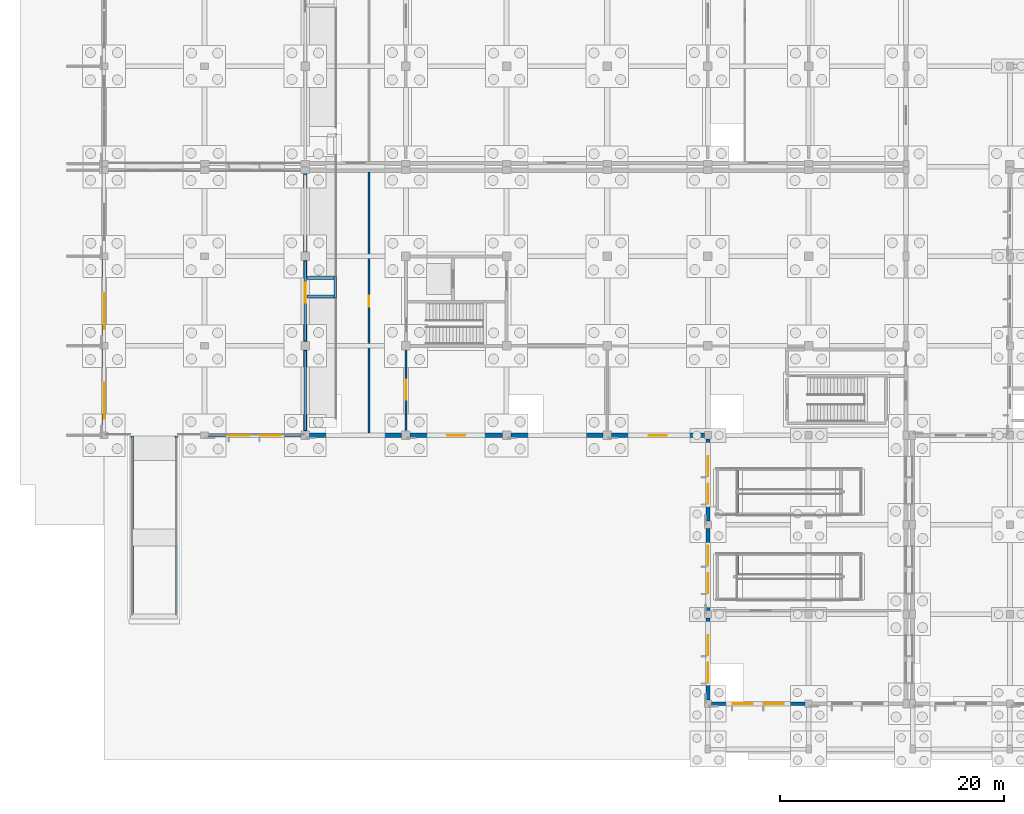
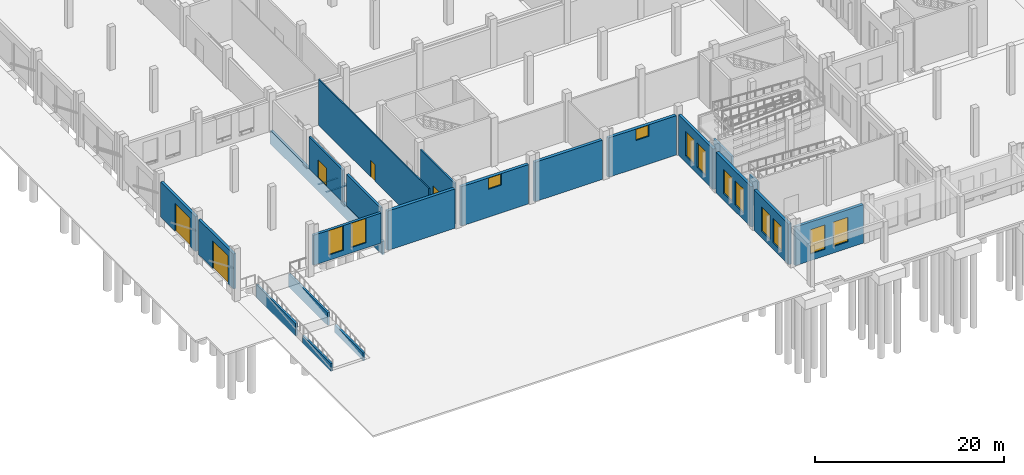
# One storey, part 55 of 99: 25 walls, 12 windows, 5 doors, 17 openings.
"""IFC4 building model written with IfcOpenShell, lengths in metres."""

from ifc_helpers import new_model, si_unit, direction, frame, frame_2d, origin, place, context, subcontext, project, spatial, rectangle, extrude, material, layer, layer_set, type_object, element, fill, save


model = new_model("IFC4")

# Units and contexts
model_context = context("Model", 3, precision=1e-05, world=origin(), true_north=direction((0.0, 1.0)))
body_context = subcontext(model_context, "Body", "Model", "MODEL_VIEW")
ifc_project = project(units=[si_unit("LENGTHUNIT", "METRE"), si_unit("AREAUNIT", "SQUARE_METRE"), si_unit("VOLUMEUNIT", "CUBIC_METRE"), si_unit("PLANEANGLEUNIT", "RADIAN"), si_unit("MASSUNIT", "GRAM", prefix="KILO")], contexts=[model_context])

# Site, building, storey
site_placement = place(None, origin())
site = spatial("IfcSite", under=ifc_project, at=site_placement, CompositionType="ELEMENT")
building_placement = place(site_placement, origin())
building = spatial("IfcBuilding", under=site, at=building_placement, Name="Zacnel Wholesale Market", CompositionType="ELEMENT")
storey_placement = place(building_placement, origin())
storey = spatial("IfcBuildingStorey", under=building, at=storey_placement, Name="L01", CompositionType="ELEMENT", Elevation=0.0)

# Wall
ifc_material_1 = material(Name="Concrete C40/50", Category="concrete")
ifc_layer_1 = layer(ifc_material_1, 0.2548828125)
ifc_layer_set_1 = layer_set([ifc_layer_1], Name="Concrete C40/50")
wall_type_1 = type_object("IfcWallType", Name="WL-COMP-FW250", PredefinedType="STANDARD", material=ifc_layer_set_1)
wall_1_placement = place(storey_placement, frame((18.0, 24.419921875, 1.22509765625), z_axis=(0.0, 0.0, 1.0), x_axis=(0.0, 1.0, 0.0)))
element("IfcWall", 1, at=wall_1_placement, inside=storey, type_object=wall_type_1, Name="EI-120 fire compartment barrier wall 03", PredefinedType="STANDARD", context=body_context, shape_type="SweptSolid", body=[
    extrude(rectangle(XDim=7.16015625, YDim=0.2548828125, at=frame_2d((3.580078125, 0.0))), origin(), (0.0, 0.0, 1.0), 4.10498046875),
])

# Wall, opening, door
wall_2_placement = place(storey_placement, frame((18.0, 32.419921875, 1.22509765625), z_axis=(0.0, 0.0, 1.0), x_axis=(0.0, 1.0, 0.0)))
wall_2 = element("IfcWall", 2, at=wall_2_placement, inside=storey, type_object=wall_type_1, Name="EI-120 fire compartment barrier wall 04", PredefinedType="STANDARD", context=body_context, shape_type="SweptSolid", body=[
    extrude(rectangle(XDim=7.16015625, YDim=0.2548828125, at=frame_2d((3.580078125, 0.0))), origin(), (0.0, 0.0, 1.0), 4.10498046875),
])
opening_1_placement = place(wall_2_placement, frame((3.429931640625, 0.0, 0.0)))
opening_1 = element("IfcOpeningElement", 3, at=opening_1_placement, cuts=wall_2, Name="Opening FD-03", PredefinedType="OPENING", context=body_context, shape_type="SweptSolid", body=[
    extrude(rectangle(XDim=1.800048828125, YDim=2.300048828125, at=frame_2d((0.89990234375, 1.14990234375))), frame((0.0, 0.137451171875, 0.0), z_axis=(0.0, -1.0, 0.0), x_axis=(1.0, 0.0, 0.0)), (0.0, 0.0, 1.0), 0.27490234375),
])
ifc_material_2 = material(Name="Galvanized steel", Category="steel")
door_type_1 = type_object("IfcDoorType", Name="DR-FIRE-COMP-1800", OperationType="NOTDEFINED", PredefinedType="DOOR", material=ifc_material_2)
door_1_placement = place(opening_1_placement, origin())
door_1 = element("IfcDoor", 4, at=door_1_placement, inside=storey, type_object=door_type_1, Name="Cold-chain dock airlock fire door 04", OperationType="SINGLE_SWING_LEFT", OverallHeight=2.300048828125, OverallWidth=1.800048828125, PredefinedType="DOOR", context=body_context, shape_type="SweptSolid", body=[
    extrude(rectangle(XDim=1.800048828125, YDim=2.300048828125, at=frame_2d((0.89990234375, 1.14990234375))), frame((0.0, 0.02490234375, 0.0), z_axis=(0.0, -1.0, 0.0), x_axis=(1.0, 0.0, 0.0)), (0.0, 0.0, 1.0), 0.050048828125),
])
fill(opening_1, door_1)

# Walls
ifc_material_3 = material(Name="Concrete C40/50", Category="concrete")
ifc_layer_2 = layer(ifc_material_3, 0.25)
ifc_layer_set_2 = layer_set([ifc_layer_2], Name="Concrete C40/50")
wall_type_2 = type_object("IfcWallType", Name="WL-CORE-SW250", PredefinedType="SOLIDWALL", material=ifc_layer_set_2)
wall_3_placement = place(storey_placement, frame((20.675048828125, 36.300048828125, 0.0), z_axis=(0.0, 0.0, 1.0), x_axis=(0.0, 1.0, 0.0)))
element("IfcWall", 5, at=wall_3_placement, inside=storey, type_object=wall_type_2, Name="Accessible ramp RP-01 (RMP-DOCK-S) mid-landing bearing kerb E", PredefinedType="SOLIDWALL", context=body_context, shape_type="SweptSolid", body=[
    extrude(rectangle(XDim=1.89990234375, YDim=0.25, at=frame_2d((0.949951171875, 0.0))), origin(), (0.0, 0.0, 1.0), 0.02490234375),
])
for number, where, z_axis, x_axis, name in (
    (6, (18.14990234375, 36.425048828125, 0.0), (0.0, 0.0, 1.0), (1.0, 0.0, 0.0), "Accessible ramp RP-01 (RMP-DOCK-S) mid-landing bearing kerb S"),
    (7, (18.14990234375, 38.074951171875, 0.0), (0.0, 0.0, 1.0), (1.0, 0.0, 0.0), "Accessible ramp RP-01 (RMP-DOCK-S) mid-landing bearing kerb N"),
):
    element("IfcWall", number, at=place(storey_placement, frame(where, z_axis=z_axis, x_axis=x_axis)), inside=storey, type_object=wall_type_2, Name=name, PredefinedType="SOLIDWALL", context=body_context, shape_type="SweptSolid", body=[
        extrude(rectangle(XDim=2.400146484375, YDim=0.25, at=frame_2d((1.2001953125, 0.0))), origin(), (0.0, 0.0, 1.0), 0.02490234375),
    ])
wall_4_placement = place(storey_placement, frame((2.530029296875, 8.10009765625, -0.5), z_axis=(0.0, 0.0, 1.0), x_axis=(0.0, 1.0, 0.0)))
element("IfcWall", 8, at=wall_4_placement, inside=storey, type_object=wall_type_2, Name="Vehicle access ramp RP-02 lower retaining cheek wall W", PredefinedType="SOLIDWALL", context=body_context, shape_type="SweptSolid", body=[
    extrude(rectangle(XDim=6.02490234375, YDim=0.25, at=frame_2d((3.012451171875, 0.0))), origin(), (0.0, 0.0, 1.0), 1.012451171875),
])
wall_5_placement = place(storey_placement, frame((2.530029296875, 15.625, -0.5), z_axis=(0.0, 0.0, 1.0), x_axis=(0.0, 1.0, 0.0)))
element("IfcWall", 9, at=wall_5_placement, inside=storey, type_object=wall_type_2, Name="Vehicle access ramp RP-02 upper retaining cheek wall W", PredefinedType="SOLIDWALL", context=body_context, shape_type="SweptSolid", body=[
    extrude(rectangle(XDim=8.31494140625, YDim=0.25, at=frame_2d((4.157470703125, 0.0))), origin(), (0.0, 0.0, 1.0), 1.64990234375),
])
wall_6_placement = place(storey_placement, frame((6.469970703125, 8.10009765625, -0.5), z_axis=(0.0, 0.0, 1.0), x_axis=(0.0, 1.0, 0.0)))
element("IfcWall", 10, at=wall_6_placement, inside=storey, type_object=wall_type_2, Name="Vehicle access ramp RP-02 lower retaining cheek wall E", PredefinedType="SOLIDWALL", context=body_context, shape_type="SweptSolid", body=[
    extrude(rectangle(XDim=6.02490234375, YDim=0.25, at=frame_2d((3.012451171875, 0.0))), origin(), (0.0, 0.0, 1.0), 1.012451171875),
])
wall_7_placement = place(storey_placement, frame((6.469970703125, 15.625, -0.5), z_axis=(0.0, 0.0, 1.0), x_axis=(0.0, 1.0, 0.0)))
element("IfcWall", 11, at=wall_7_placement, inside=storey, type_object=wall_type_2, Name="Vehicle access ramp RP-02 upper retaining cheek wall E", PredefinedType="SOLIDWALL", context=body_context, shape_type="SweptSolid", body=[
    extrude(rectangle(XDim=8.31494140625, YDim=0.25, at=frame_2d((4.157470703125, 0.0))), origin(), (0.0, 0.0, 1.0), 1.64990234375),
])
wall_8_placement = place(storey_placement, frame((56.60009765625, 11.550048828125, -0.5), z_axis=(0.0, 0.0, 1.0), x_axis=(0.0, 1.0, 0.0)))
element("IfcWall", 12, at=wall_8_placement, inside=storey, type_object=wall_type_2, Name="Accessible ramp RP-03 (RMP-PROM-1A) end plinth wall 6", PredefinedType="SOLIDWALL", context=body_context, shape_type="SweptSolid", body=[
    extrude(rectangle(XDim=1.695068359375, YDim=0.25, at=frame_2d((0.84765625, 0.0))), origin(), (0.0, 0.0, 1.0), 3.43505859375),
])
wall_9_placement = place(storey_placement, frame((56.60009765625, 17.054931640625, -0.5), z_axis=(0.0, 0.0, 1.0), x_axis=(0.0, 1.0, 0.0)))
element("IfcWall", 13, at=wall_9_placement, inside=storey, type_object=wall_type_2, Name="Accessible ramp RP-03 (RMP-PROM-1B) starter plinth wall", PredefinedType="SOLIDWALL", context=body_context, shape_type="SweptSolid", body=[
    extrude(rectangle(XDim=3.7900390625, YDim=0.25, at=frame_2d((1.89501953125, 0.0))), origin(), (0.0, 0.0, 1.0), 3.43505859375),
])
ifc_material_4 = material(Name="Concrete C40/50", Category="concrete")
ifc_layer_3 = layer(ifc_material_4, 0.300048828125)
ifc_layer_set_3 = layer_set([ifc_layer_3], Name="Concrete C40/50")
wall_type_3 = type_object("IfcWallType", Name="WL-DOCK-RET300", PredefinedType="SOLIDWALL", material=ifc_layer_set_3)
wall_10_placement = place(storey_placement, frame((18.0, 24.0, -0.5), z_axis=(0.0, 0.0, 1.0), x_axis=(0.0, 1.0, 0.0)))
element("IfcWall", 14, at=wall_10_placement, inside=storey, type_object=wall_type_3, Name="Dock plinth retaining wall 01", PredefinedType="SOLIDWALL", context=body_context, shape_type="SweptSolid", body=[
    extrude(rectangle(XDim=23.699951171875, YDim=0.300048828125, at=frame_2d((11.85009765625, 0.0))), origin(), (0.0, 0.0, 1.0), 1.72509765625),
])

# Wall, openings, windows
ifc_material_5 = material(Name="Precast concrete C40/50 (insulated sandwich panel)", Category="concrete")
ifc_layer_4 = layer(ifc_material_5, 0.320068359375)
ifc_layer_set_4 = layer_set([ifc_layer_4], Name="Precast concrete C40/50 (insulated sandwich panel)")
wall_type_4 = type_object("IfcWallType", Name="WL-EXT-COLD-320", PredefinedType="SOLIDWALL", material=ifc_layer_set_4)
wall_11_placement = place(storey_placement, frame((9.35009765625, 24.0, 1.22509765625), z_axis=(0.0, 0.0, 1.0), x_axis=(1.0, 0.0, 0.0)))
wall_11 = element("IfcWall", 15, at=wall_11_placement, inside=storey, type_object=wall_type_4, Name="Exterior wall L01-0001", PredefinedType="SOLIDWALL", context=body_context, shape_type="SweptSolid", body=[
    extrude(rectangle(XDim=8.27490234375, YDim=0.320068359375, at=frame_2d((4.137451171875, 0.0))), origin(), (0.0, 0.0, 1.0), 3.875),
])
opening_2_placement = place(wall_11_placement, frame((1.85791015625, 0.0, 0.68505859375)))
opening_2 = element("IfcOpeningElement", 16, at=opening_2_placement, cuts=wall_11, Name="Opening W-03", PredefinedType="OPENING", context=body_context, shape_type="SweptSolid", body=[
    extrude(rectangle(XDim=1.800048828125, YDim=3.14990234375, at=frame_2d((0.89990234375, 1.574951171875))), frame((0.0, 0.169921875, 0.0), z_axis=(0.0, -1.0, 0.0), x_axis=(1.0, 0.0, 0.0)), (0.0, 0.0, 1.0), 0.340087890625),
])
opening_3_placement = place(wall_11_placement, frame((4.616943359375, 0.0, 0.68505859375)))
opening_3 = element("IfcOpeningElement", 17, at=opening_3_placement, cuts=wall_11, Name="Opening W-03", PredefinedType="OPENING", context=body_context, shape_type="SweptSolid", body=[
    extrude(rectangle(XDim=1.800048828125, YDim=3.14990234375, at=frame_2d((0.89990234375, 1.574951171875))), frame((0.0, 0.169921875, 0.0), z_axis=(0.0, -1.0, 0.0), x_axis=(1.0, 0.0, 0.0)), (0.0, 0.0, 1.0), 0.340087890625),
])
ifc_material_6 = material(Name="Laminated hurricane-impact low-E insulated glass", Category="glass")
window_type_1 = type_object("IfcWindowType", Name="WIN-DEC-1800X3150", PartitioningType="DOUBLE_PANEL_VERTICAL", PredefinedType="WINDOW", material=ifc_material_6)
window_1_placement = place(opening_2_placement, origin())
window_1 = element("IfcWindow", 18, at=window_1_placement, inside=storey, type_object=window_type_1, Name="Window L01-0001", OverallHeight=3.14990234375, OverallWidth=1.800048828125, PartitioningType="DOUBLE_PANEL_VERTICAL", PredefinedType="WINDOW", context=body_context, shape_type="SweptSolid", body=[
    extrude(rectangle(XDim=1.800048828125, YDim=3.14990234375, at=frame_2d((0.89990234375, 1.574951171875))), frame((0.0, 0.030029296875, 0.0), z_axis=(0.0, -1.0, 0.0), x_axis=(1.0, 0.0, 0.0)), (0.0, 0.0, 1.0), 0.06005859375),
])
fill(opening_2, window_1)
window_2_placement = place(opening_3_placement, origin())
window_2 = element("IfcWindow", 19, at=window_2_placement, inside=storey, type_object=window_type_1, Name="Window L01-0002", OverallHeight=3.14990234375, OverallWidth=1.800048828125, PartitioningType="DOUBLE_PANEL_VERTICAL", PredefinedType="WINDOW", context=body_context, shape_type="SweptSolid", body=[
    extrude(rectangle(XDim=1.800048828125, YDim=3.14990234375, at=frame_2d((0.89990234375, 1.574951171875))), frame((0.0, 0.030029296875, 0.0), z_axis=(0.0, -1.0, 0.0), x_axis=(1.0, 0.0, 0.0)), (0.0, 0.0, 1.0), 0.06005859375),
])
fill(opening_3, window_2)

# Wall, opening, door
wall_12_placement = place(storey_placement, frame((0.0, 24.300048828125, 1.22509765625), z_axis=(0.0, 0.0, 1.0), x_axis=(0.0, 1.0, 0.0)))
wall_12 = element("IfcWall", 20, at=wall_12_placement, inside=storey, type_object=wall_type_4, Name="Exterior wall L01-0004", PredefinedType="SOLIDWALL", context=body_context, shape_type="SweptSolid", body=[
    extrude(rectangle(XDim=7.39990234375, YDim=0.320068359375, at=frame_2d((3.699951171875, 0.0))), origin(), (0.0, 0.0, 1.0), 4.514892578125),
])
opening_4_placement = place(wall_12_placement, frame((1.18408203125, 0.0, 0.0)))
opening_4 = element("IfcOpeningElement", 21, at=opening_4_placement, cuts=wall_12, Name="Opening GD-320", PredefinedType="OPENING", context=body_context, shape_type="SweptSolid", body=[
    extrude(rectangle(XDim=3.199951171875, YDim=3.60009765625, at=frame_2d((1.60009765625, 1.800048828125))), frame((0.0, 0.169921875, 0.0), z_axis=(0.0, -1.0, 0.0), x_axis=(1.0, 0.0, 0.0)), (0.0, 0.0, 1.0), 0.340087890625),
])
ifc_material_7 = material(Name="Galvanized steel S355", Category="steel")
door_type_2 = type_object("IfcDoorType", Name="DR-DOCK-ROLL-3200", OperationType="NOTDEFINED", PredefinedType="GATE", material=ifc_material_7)
door_2_placement = place(opening_4_placement, origin())
door_2 = element("IfcDoor", 22, at=door_2_placement, inside=storey, type_object=door_type_2, Name="Loading dock shutter 01", OperationType="ROLLINGUP", OverallHeight=3.60009765625, OverallWidth=3.199951171875, PredefinedType="GATE", context=body_context, shape_type="SweptSolid", body=[
    extrude(rectangle(XDim=3.199951171875, YDim=3.60009765625, at=frame_2d((1.60009765625, 1.800048828125))), frame((0.0, 0.02490234375, 0.0), z_axis=(0.0, -1.0, 0.0), x_axis=(1.0, 0.0, 0.0)), (0.0, 0.0, 1.0), 0.050048828125),
])
fill(opening_4, door_2)

wall_13_placement = place(storey_placement, frame((0.0, 32.300048828125, 1.22509765625), z_axis=(0.0, 0.0, 1.0), x_axis=(0.0, 1.0, 0.0)))
wall_13 = element("IfcWall", 23, at=wall_13_placement, inside=storey, type_object=wall_type_4, Name="Exterior wall L01-0005", PredefinedType="SOLIDWALL", context=body_context, shape_type="SweptSolid", body=[
    extrude(rectangle(XDim=7.39990234375, YDim=0.320068359375, at=frame_2d((3.699951171875, 0.0))), origin(), (0.0, 0.0, 1.0), 4.514892578125),
])
opening_5_placement = place(wall_13_placement, frame((1.18408203125, 0.0, 0.0)))
opening_5 = element("IfcOpeningElement", 24, at=opening_5_placement, cuts=wall_13, Name="Opening GD-320", PredefinedType="OPENING", context=body_context, shape_type="SweptSolid", body=[
    extrude(rectangle(XDim=3.199951171875, YDim=3.60009765625, at=frame_2d((1.60009765625, 1.800048828125))), frame((0.0, 0.169921875, 0.0), z_axis=(0.0, -1.0, 0.0), x_axis=(1.0, 0.0, 0.0)), (0.0, 0.0, 1.0), 0.340087890625),
])
door_3_placement = place(opening_5_placement, origin())
door_3 = element("IfcDoor", 25, at=door_3_placement, inside=storey, type_object=door_type_2, Name="Loading dock shutter 02", OperationType="ROLLINGUP", OverallHeight=3.60009765625, OverallWidth=3.199951171875, PredefinedType="GATE", context=body_context, shape_type="SweptSolid", body=[
    extrude(rectangle(XDim=3.199951171875, YDim=3.60009765625, at=frame_2d((1.60009765625, 1.800048828125))), frame((0.0, 0.02490234375, 0.0), z_axis=(0.0, -1.0, 0.0), x_axis=(1.0, 0.0, 0.0)), (0.0, 0.0, 1.0), 0.050048828125),
])
fill(opening_5, door_3)

# Wall
ifc_material_8 = material(Name="Precast concrete C40/50 (insulated sandwich panel)", Category="concrete")
ifc_layer_5 = layer(ifc_material_8, 0.3798828125)
ifc_layer_set_5 = layer_set([ifc_layer_5], Name="Precast concrete C40/50 (insulated sandwich panel)")
wall_type_5 = type_object("IfcWallType", Name="WL-EXT-COLD-380", PredefinedType="SOLIDWALL", material=ifc_layer_set_5)
wall_14_placement = place(storey_placement, frame((18.375, 24.0, 0.0), z_axis=(0.0, 0.0, 1.0), x_axis=(1.0, 0.0, 0.0)))
element("IfcWall", 26, at=wall_14_placement, inside=storey, type_object=wall_type_5, Name="Exterior wall L01-0022", PredefinedType="SOLIDWALL", context=body_context, shape_type="SweptSolid", body=[
    extrude(rectangle(XDim=8.25, YDim=0.3798828125, at=frame_2d((4.125, 0.0))), origin(), (0.0, 0.0, 1.0), 5.080078125),
])

# Wall, opening, window
wall_15_placement = place(storey_placement, frame((27.375, 24.0, 0.0), z_axis=(0.0, 0.0, 1.0), x_axis=(1.0, 0.0, 0.0)))
wall_15 = element("IfcWall", 27, at=wall_15_placement, inside=storey, type_object=wall_type_5, Name="Exterior wall L01-0023", PredefinedType="SOLIDWALL", context=body_context, shape_type="SweptSolid", body=[
    extrude(rectangle(XDim=8.25, YDim=0.3798828125, at=frame_2d((4.125, 0.0))), origin(), (0.0, 0.0, 1.0), 5.080078125),
])
opening_6_placement = place(wall_15_placement, frame((3.324951171875, 0.0, 3.590087890625)))
opening_6 = element("IfcOpeningElement", 28, at=opening_6_placement, cuts=wall_15, Name="Opening W-06", PredefinedType="OPENING", context=body_context, shape_type="SweptSolid", body=[
    extrude(rectangle(XDim=1.60009765625, YDim=1.449951171875, at=frame_2d((0.800048828125, 0.72509765625))), frame((0.0, 0.199951171875, 0.0), z_axis=(0.0, -1.0, 0.0), x_axis=(1.0, 0.0, 0.0)), (0.0, 0.0, 1.0), 0.39990234375),
])
ifc_material_9 = material(Name="Laminated hurricane-impact low-E insulated glass", Category="glass")
window_type_2 = type_object("IfcWindowType", Name="WIN-HIG-1600X1450", PartitioningType="DOUBLE_PANEL_HORIZONTAL", PredefinedType="WINDOW", material=ifc_material_9)
window_3_placement = place(opening_6_placement, origin())
window_3 = element("IfcWindow", 29, at=window_3_placement, inside=storey, type_object=window_type_2, Name="Window L01-0019", OverallHeight=1.449951171875, OverallWidth=1.60009765625, PartitioningType="DOUBLE_PANEL_HORIZONTAL", PredefinedType="WINDOW", context=body_context, shape_type="SweptSolid", body=[
    extrude(rectangle(XDim=1.60009765625, YDim=1.449951171875, at=frame_2d((0.800048828125, 0.72509765625))), frame((0.0, 0.030029296875, 0.0), z_axis=(0.0, -1.0, 0.0), x_axis=(1.0, 0.0, 0.0)), (0.0, 0.0, 1.0), 0.06005859375),
])
fill(opening_6, window_3)

# Wall
wall_16_placement = place(storey_placement, frame((36.375, 24.0, 0.0), z_axis=(0.0, 0.0, 1.0), x_axis=(1.0, 0.0, 0.0)))
element("IfcWall", 30, at=wall_16_placement, inside=storey, type_object=wall_type_5, Name="Exterior wall L01-0024", PredefinedType="SOLIDWALL", context=body_context, shape_type="SweptSolid", body=[
    extrude(rectangle(XDim=8.25, YDim=0.3798828125, at=frame_2d((4.125, 0.0))), origin(), (0.0, 0.0, 1.0), 5.080078125),
])

# Wall, opening, window
wall_17_placement = place(storey_placement, frame((45.375, 24.0, 0.0), z_axis=(0.0, 0.0, 1.0), x_axis=(1.0, 0.0, 0.0)))
wall_17 = element("IfcWall", 31, at=wall_17_placement, inside=storey, type_object=wall_type_5, Name="Exterior wall L01-0025", PredefinedType="SOLIDWALL", context=body_context, shape_type="SweptSolid", body=[
    extrude(rectangle(XDim=8.300048828125, YDim=0.3798828125, at=frame_2d((4.14990234375, 0.0))), origin(), (0.0, 0.0, 1.0), 5.080078125),
])
opening_7_placement = place(wall_17_placement, frame((3.35009765625, 0.0, 3.590087890625)))
opening_7 = element("IfcOpeningElement", 32, at=opening_7_placement, cuts=wall_17, Name="Opening W-06", PredefinedType="OPENING", context=body_context, shape_type="SweptSolid", body=[
    extrude(rectangle(XDim=1.60009765625, YDim=1.449951171875, at=frame_2d((0.800048828125, 0.72509765625))), frame((0.0, 0.199951171875, 0.0), z_axis=(0.0, -1.0, 0.0), x_axis=(1.0, 0.0, 0.0)), (0.0, 0.0, 1.0), 0.39990234375),
])
window_4_placement = place(opening_7_placement, origin())
window_4 = element("IfcWindow", 33, at=window_4_placement, inside=storey, type_object=window_type_2, Name="Window L01-0020", OverallHeight=1.449951171875, OverallWidth=1.60009765625, PartitioningType="DOUBLE_PANEL_HORIZONTAL", PredefinedType="WINDOW", context=body_context, shape_type="SweptSolid", body=[
    extrude(rectangle(XDim=1.60009765625, YDim=1.449951171875, at=frame_2d((0.800048828125, 0.72509765625))), frame((0.0, 0.030029296875, 0.0), z_axis=(0.0, -1.0, 0.0), x_axis=(1.0, 0.0, 0.0)), (0.0, 0.0, 1.0), 0.06005859375),
])
fill(opening_7, window_4)

# Wall, openings, windows
ifc_material_10 = material(Name="Precast concrete C40/50 (Cancun limestone aggregate)", Category="masonry")
ifc_layer_6 = layer(ifc_material_10, 0.340087890625)
ifc_layer_set_6 = layer_set([ifc_layer_6], Name="Precast concrete C40/50 (Cancun limestone aggregate)")
wall_type_6 = type_object("IfcWallType", Name="WL-EXT-LIME-340", PredefinedType="SOLIDWALL", material=ifc_layer_set_6)
wall_18_placement = place(storey_placement, frame((54.324951171875, 0.0, 0.0), z_axis=(0.0, 0.0, 1.0), x_axis=(1.0, 0.0, 0.0)))
wall_18 = element("IfcWall", 34, at=wall_18_placement, inside=storey, type_object=wall_type_6, Name="Exterior wall L01-0068", PredefinedType="SOLIDWALL", context=body_context, shape_type="SweptSolid", body=[
    extrude(rectangle(XDim=8.35009765625, YDim=0.340087890625, at=frame_2d((4.175048828125, 0.0))), origin(), (0.0, 0.0, 1.0), 4.97998046875),
])
opening_8_placement = place(wall_18_placement, frame((1.883056640625, 0.0, 0.85009765625)))
opening_8 = element("IfcOpeningElement", 35, at=opening_8_placement, cuts=wall_18, Name="Opening W-03", PredefinedType="OPENING", context=body_context, shape_type="SweptSolid", body=[
    extrude(rectangle(XDim=1.800048828125, YDim=3.14990234375, at=frame_2d((0.89990234375, 1.574951171875))), frame((0.0, 0.179931640625, 0.0), z_axis=(0.0, -1.0, 0.0), x_axis=(1.0, 0.0, 0.0)), (0.0, 0.0, 1.0), 0.360107421875),
])
opening_9_placement = place(wall_18_placement, frame((4.6669921875, 0.0, 0.85009765625)))
opening_9 = element("IfcOpeningElement", 36, at=opening_9_placement, cuts=wall_18, Name="Opening W-03", PredefinedType="OPENING", context=body_context, shape_type="SweptSolid", body=[
    extrude(rectangle(XDim=1.800048828125, YDim=3.14990234375, at=frame_2d((0.89990234375, 1.574951171875))), frame((0.0, 0.179931640625, 0.0), z_axis=(0.0, -1.0, 0.0), x_axis=(1.0, 0.0, 0.0)), (0.0, 0.0, 1.0), 0.360107421875),
])
window_5_placement = place(opening_8_placement, origin())
window_5 = element("IfcWindow", 37, at=window_5_placement, inside=storey, type_object=window_type_1, Name="Window L01-0034", OverallHeight=3.14990234375, OverallWidth=1.800048828125, PartitioningType="DOUBLE_PANEL_VERTICAL", PredefinedType="WINDOW", context=body_context, shape_type="SweptSolid", body=[
    extrude(rectangle(XDim=1.800048828125, YDim=3.14990234375, at=frame_2d((0.89990234375, 1.574951171875))), frame((0.0, 0.030029296875, 0.0), z_axis=(0.0, -1.0, 0.0), x_axis=(1.0, 0.0, 0.0)), (0.0, 0.0, 1.0), 0.06005859375),
])
fill(opening_8, window_5)
window_6_placement = place(opening_9_placement, origin())
window_6 = element("IfcWindow", 38, at=window_6_placement, inside=storey, type_object=window_type_1, Name="Window L01-0035", OverallHeight=3.14990234375, OverallWidth=1.800048828125, PartitioningType="DOUBLE_PANEL_VERTICAL", PredefinedType="WINDOW", context=body_context, shape_type="SweptSolid", body=[
    extrude(rectangle(XDim=1.800048828125, YDim=3.14990234375, at=frame_2d((0.89990234375, 1.574951171875))), frame((0.0, 0.030029296875, 0.0), z_axis=(0.0, -1.0, 0.0), x_axis=(1.0, 0.0, 0.0)), (0.0, 0.0, 1.0), 0.06005859375),
])
fill(opening_9, window_6)

wall_19_placement = place(storey_placement, frame((54.0, 0.324951171875, 0.0), z_axis=(0.0, 0.0, 1.0), x_axis=(0.0, 1.0, 0.0)))
wall_19 = element("IfcWall", 39, at=wall_19_placement, inside=storey, type_object=wall_type_6, Name="Exterior wall L01-0070", PredefinedType="SOLIDWALL", context=body_context, shape_type="SweptSolid", body=[
    extrude(rectangle(XDim=7.35009765625, YDim=0.340087890625, at=frame_2d((3.675048828125, 0.0))), origin(), (0.0, 0.0, 1.0), 5.22998046875),
])
opening_10_placement = place(wall_19_placement, frame((1.550048828125, 0.0, 0.85009765625)))
opening_10 = element("IfcOpeningElement", 40, at=opening_10_placement, cuts=wall_19, Name="Opening W-03", PredefinedType="OPENING", context=body_context, shape_type="SweptSolid", body=[
    extrude(rectangle(XDim=1.800048828125, YDim=3.14990234375, at=frame_2d((0.89990234375, 1.574951171875))), frame((0.0, 0.179931640625, 0.0), z_axis=(0.0, -1.0, 0.0), x_axis=(1.0, 0.0, 0.0)), (0.0, 0.0, 1.0), 0.360107421875),
])
opening_11_placement = place(wall_19_placement, frame((4.0, 0.0, 0.85009765625)))
opening_11 = element("IfcOpeningElement", 41, at=opening_11_placement, cuts=wall_19, Name="Opening W-03", PredefinedType="OPENING", context=body_context, shape_type="SweptSolid", body=[
    extrude(rectangle(XDim=1.800048828125, YDim=3.14990234375, at=frame_2d((0.89990234375, 1.574951171875))), frame((0.0, 0.179931640625, 0.0), z_axis=(0.0, -1.0, 0.0), x_axis=(1.0, 0.0, 0.0)), (0.0, 0.0, 1.0), 0.360107421875),
])
window_7_placement = place(opening_10_placement, origin())
window_7 = element("IfcWindow", 42, at=window_7_placement, inside=storey, type_object=window_type_1, Name="Window L01-0038", OverallHeight=3.14990234375, OverallWidth=1.800048828125, PartitioningType="DOUBLE_PANEL_VERTICAL", PredefinedType="WINDOW", context=body_context, shape_type="SweptSolid", body=[
    extrude(rectangle(XDim=1.800048828125, YDim=3.14990234375, at=frame_2d((0.89990234375, 1.574951171875))), frame((0.0, 0.030029296875, 0.0), z_axis=(0.0, -1.0, 0.0), x_axis=(1.0, 0.0, 0.0)), (0.0, 0.0, 1.0), 0.06005859375),
])
fill(opening_10, window_7)
window_8_placement = place(opening_11_placement, origin())
window_8 = element("IfcWindow", 43, at=window_8_placement, inside=storey, type_object=window_type_1, Name="Window L01-0039", OverallHeight=3.14990234375, OverallWidth=1.800048828125, PartitioningType="DOUBLE_PANEL_VERTICAL", PredefinedType="WINDOW", context=body_context, shape_type="SweptSolid", body=[
    extrude(rectangle(XDim=1.800048828125, YDim=3.14990234375, at=frame_2d((0.89990234375, 1.574951171875))), frame((0.0, 0.030029296875, 0.0), z_axis=(0.0, -1.0, 0.0), x_axis=(1.0, 0.0, 0.0)), (0.0, 0.0, 1.0), 0.06005859375),
])
fill(opening_11, window_8)

wall_20_placement = place(storey_placement, frame((54.0, 8.324951171875, 0.0), z_axis=(0.0, 0.0, 1.0), x_axis=(0.0, 1.0, 0.0)))
wall_20 = element("IfcWall", 44, at=wall_20_placement, inside=storey, type_object=wall_type_6, Name="Exterior wall L01-0071", PredefinedType="SOLIDWALL", context=body_context, shape_type="SweptSolid", body=[
    extrude(rectangle(XDim=7.35009765625, YDim=0.340087890625, at=frame_2d((3.675048828125, 0.0))), origin(), (0.0, 0.0, 1.0), 5.22998046875),
])
opening_12_placement = place(wall_20_placement, frame((1.550048828125, 0.0, 0.85009765625)))
opening_12 = element("IfcOpeningElement", 45, at=opening_12_placement, cuts=wall_20, Name="Opening W-03", PredefinedType="OPENING", context=body_context, shape_type="SweptSolid", body=[
    extrude(rectangle(XDim=1.800048828125, YDim=3.14990234375, at=frame_2d((0.89990234375, 1.574951171875))), frame((0.0, 0.179931640625, 0.0), z_axis=(0.0, -1.0, 0.0), x_axis=(1.0, 0.0, 0.0)), (0.0, 0.0, 1.0), 0.360107421875),
])
opening_13_placement = place(wall_20_placement, frame((4.0, 0.0, 0.85009765625)))
opening_13 = element("IfcOpeningElement", 46, at=opening_13_placement, cuts=wall_20, Name="Opening W-03", PredefinedType="OPENING", context=body_context, shape_type="SweptSolid", body=[
    extrude(rectangle(XDim=1.800048828125, YDim=3.14990234375, at=frame_2d((0.89990234375, 1.574951171875))), frame((0.0, 0.179931640625, 0.0), z_axis=(0.0, -1.0, 0.0), x_axis=(1.0, 0.0, 0.0)), (0.0, 0.0, 1.0), 0.360107421875),
])
window_9_placement = place(opening_12_placement, origin())
window_9 = element("IfcWindow", 47, at=window_9_placement, inside=storey, type_object=window_type_1, Name="Window L01-0040", OverallHeight=3.14990234375, OverallWidth=1.800048828125, PartitioningType="DOUBLE_PANEL_VERTICAL", PredefinedType="WINDOW", context=body_context, shape_type="SweptSolid", body=[
    extrude(rectangle(XDim=1.800048828125, YDim=3.14990234375, at=frame_2d((0.89990234375, 1.574951171875))), frame((0.0, 0.030029296875, 0.0), z_axis=(0.0, -1.0, 0.0), x_axis=(1.0, 0.0, 0.0)), (0.0, 0.0, 1.0), 0.06005859375),
])
fill(opening_12, window_9)
window_10_placement = place(opening_13_placement, origin())
window_10 = element("IfcWindow", 48, at=window_10_placement, inside=storey, type_object=window_type_1, Name="Window L01-0041", OverallHeight=3.14990234375, OverallWidth=1.800048828125, PartitioningType="DOUBLE_PANEL_VERTICAL", PredefinedType="WINDOW", context=body_context, shape_type="SweptSolid", body=[
    extrude(rectangle(XDim=1.800048828125, YDim=3.14990234375, at=frame_2d((0.89990234375, 1.574951171875))), frame((0.0, 0.030029296875, 0.0), z_axis=(0.0, -1.0, 0.0), x_axis=(1.0, 0.0, 0.0)), (0.0, 0.0, 1.0), 0.06005859375),
])
fill(opening_13, window_10)

wall_21_placement = place(storey_placement, frame((54.0, 16.324951171875, 0.0), z_axis=(0.0, 0.0, 1.0), x_axis=(0.0, 1.0, 0.0)))
wall_21 = element("IfcWall", 49, at=wall_21_placement, inside=storey, type_object=wall_type_6, Name="Exterior wall L01-0072", PredefinedType="SOLIDWALL", context=body_context, shape_type="SweptSolid", body=[
    extrude(rectangle(XDim=7.35009765625, YDim=0.340087890625, at=frame_2d((3.675048828125, 0.0))), origin(), (0.0, 0.0, 1.0), 5.22998046875),
])
opening_14_placement = place(wall_21_placement, frame((1.550048828125, 0.0, 0.85009765625)))
opening_14 = element("IfcOpeningElement", 50, at=opening_14_placement, cuts=wall_21, Name="Opening W-03", PredefinedType="OPENING", context=body_context, shape_type="SweptSolid", body=[
    extrude(rectangle(XDim=1.800048828125, YDim=3.14990234375, at=frame_2d((0.89990234375, 1.574951171875))), frame((0.0, 0.179931640625, 0.0), z_axis=(0.0, -1.0, 0.0), x_axis=(1.0, 0.0, 0.0)), (0.0, 0.0, 1.0), 0.360107421875),
])
opening_15_placement = place(wall_21_placement, frame((4.0, 0.0, 0.85009765625)))
opening_15 = element("IfcOpeningElement", 51, at=opening_15_placement, cuts=wall_21, Name="Opening W-03", PredefinedType="OPENING", context=body_context, shape_type="SweptSolid", body=[
    extrude(rectangle(XDim=1.800048828125, YDim=3.14990234375, at=frame_2d((0.89990234375, 1.574951171875))), frame((0.0, 0.179931640625, 0.0), z_axis=(0.0, -1.0, 0.0), x_axis=(1.0, 0.0, 0.0)), (0.0, 0.0, 1.0), 0.360107421875),
])
window_11_placement = place(opening_14_placement, origin())
window_11 = element("IfcWindow", 52, at=window_11_placement, inside=storey, type_object=window_type_1, Name="Window L01-0042", OverallHeight=3.14990234375, OverallWidth=1.800048828125, PartitioningType="DOUBLE_PANEL_VERTICAL", PredefinedType="WINDOW", context=body_context, shape_type="SweptSolid", body=[
    extrude(rectangle(XDim=1.800048828125, YDim=3.14990234375, at=frame_2d((0.89990234375, 1.574951171875))), frame((0.0, 0.030029296875, 0.0), z_axis=(0.0, -1.0, 0.0), x_axis=(1.0, 0.0, 0.0)), (0.0, 0.0, 1.0), 0.06005859375),
])
fill(opening_14, window_11)
window_12_placement = place(opening_15_placement, origin())
window_12 = element("IfcWindow", 53, at=window_12_placement, inside=storey, type_object=window_type_1, Name="Window L01-0043", OverallHeight=3.14990234375, OverallWidth=1.800048828125, PartitioningType="DOUBLE_PANEL_VERTICAL", PredefinedType="WINDOW", context=body_context, shape_type="SweptSolid", body=[
    extrude(rectangle(XDim=1.800048828125, YDim=3.14990234375, at=frame_2d((0.89990234375, 1.574951171875))), frame((0.0, 0.030029296875, 0.0), z_axis=(0.0, -1.0, 0.0), x_axis=(1.0, 0.0, 0.0)), (0.0, 0.0, 1.0), 0.06005859375),
])
fill(opening_15, window_12)

# Wall, opening, door
ifc_material_11 = material(Name="Moisture-resistant gypsum board partition")
ifc_layer_7 = layer(ifc_material_11, 0.139892578125)
ifc_layer_set_7 = layer_set([ifc_layer_7], Name="Moisture-resistant gypsum board partition")
wall_type_7 = type_object("IfcWallType", Name="WL-PART-GYP140", PredefinedType="PARTITIONING", material=ifc_layer_set_7)
wall_22_placement = place(storey_placement, frame((23.699951171875, 24.169921875, 0.0), z_axis=(0.0, 0.0, 1.0), x_axis=(0.0, 1.0, 0.0)))
wall_22 = element("IfcWall", 54, at=wall_22_placement, inside=storey, type_object=wall_type_7, Name="Interior partition L01-0001", PredefinedType="PARTITIONING", context=body_context, shape_type="SweptSolid", body=[
    extrude(rectangle(XDim=23.360107421875, YDim=0.139892578125, at=frame_2d((11.68017578125, 0.0))), origin(), (0.0, 0.0, 1.0), 5.949951171875),
])
opening_16_placement = place(wall_22_placement, frame((11.330078125, 0.0, 0.0)))
opening_16 = element("IfcOpeningElement", 55, at=opening_16_placement, cuts=wall_22, Name="Opening ID-03", PredefinedType="OPENING", context=body_context, shape_type="SweptSolid", body=[
    extrude(rectangle(XDim=1.0, YDim=2.14990234375, at=frame_2d((0.5, 1.074951171875))), frame((0.0, 0.079833984375, 0.0), z_axis=(0.0, -1.0, 0.0), x_axis=(1.0, 0.0, 0.0)), (0.0, 0.0, 1.0), 0.159912109375),
])
ifc_material_12 = material(Name="Solid-core tropical hardwood door", Category="wood")
door_type_3 = type_object("IfcDoorType", Name="DR-OFF-SGL-1000", OperationType="NOTDEFINED", PredefinedType="DOOR", material=ifc_material_12)
door_4_placement = place(opening_16_placement, origin())
door_4 = element("IfcDoor", 56, at=door_4_placement, inside=storey, type_object=door_type_3, Name="Interior door L01-0001", OperationType="SINGLE_SWING_RIGHT", OverallHeight=2.14990234375, OverallWidth=1.0, PredefinedType="DOOR", context=body_context, shape_type="SweptSolid", body=[
    extrude(rectangle(XDim=1.0, YDim=2.14990234375, at=frame_2d((0.5, 1.074951171875))), frame((0.0, 0.02490234375, 0.0), z_axis=(0.0, -1.0, 0.0), x_axis=(1.0, 0.0, 0.0)), (0.0, 0.0, 1.0), 0.050048828125),
])
fill(opening_16, door_4)

ifc_material_13 = material(Name="Concrete blockwork masonry", Category="masonry")
ifc_layer_8 = layer(ifc_material_13, 0.199951171875)
ifc_layer_set_8 = layer_set([ifc_layer_8], Name="Concrete blockwork masonry")
wall_type_8 = type_object("IfcWallType", Name="WL-PART-MAS200", PredefinedType="PARTITIONING", material=ifc_layer_set_8)
wall_23_placement = place(storey_placement, frame((27.0, 24.449951171875, 0.0), z_axis=(0.0, 0.0, 1.0), x_axis=(0.0, 1.0, 0.0)))
wall_23 = element("IfcWall", 57, at=wall_23_placement, inside=storey, type_object=wall_type_8, Name="Interior partition L01-0002", PredefinedType="PARTITIONING", context=body_context, shape_type="SweptSolid", body=[
    extrude(rectangle(XDim=7.25, YDim=0.199951171875, at=frame_2d((3.625, 0.0))), origin(), (0.0, 0.0, 1.0), 5.330078125),
])
opening_17_placement = place(wall_23_placement, frame((2.72509765625, 0.0, 0.0)))
opening_17 = element("IfcOpeningElement", 58, at=opening_17_placement, cuts=wall_23, Name="Opening FD-03", PredefinedType="OPENING", context=body_context, shape_type="SweptSolid", body=[
    extrude(rectangle(XDim=1.800048828125, YDim=2.300048828125, at=frame_2d((0.89990234375, 1.14990234375))), frame((0.0, 0.10986328125, 0.0), z_axis=(0.0, -1.0, 0.0), x_axis=(1.0, 0.0, 0.0)), (0.0, 0.0, 1.0), 0.219970703125),
])
door_5_placement = place(opening_17_placement, origin())
door_5 = element("IfcDoor", 59, at=door_5_placement, inside=storey, type_object=door_type_1, Name="Interior door L01-0002", OperationType="SINGLE_SWING_LEFT", OverallHeight=2.300048828125, OverallWidth=1.800048828125, PredefinedType="DOOR", context=body_context, shape_type="SweptSolid", body=[
    extrude(rectangle(XDim=1.800048828125, YDim=2.300048828125, at=frame_2d((0.89990234375, 1.14990234375))), frame((0.0, 0.02490234375, 0.0), z_axis=(0.0, -1.0, 0.0), x_axis=(1.0, 0.0, 0.0)), (0.0, 0.0, 1.0), 0.050048828125),
])
fill(opening_17, door_5)

save(model, "model.ifc")
